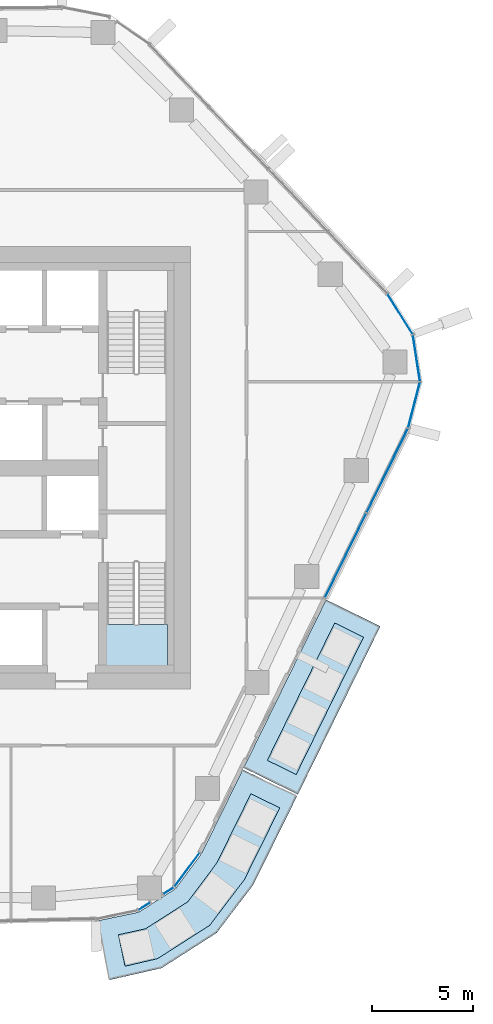
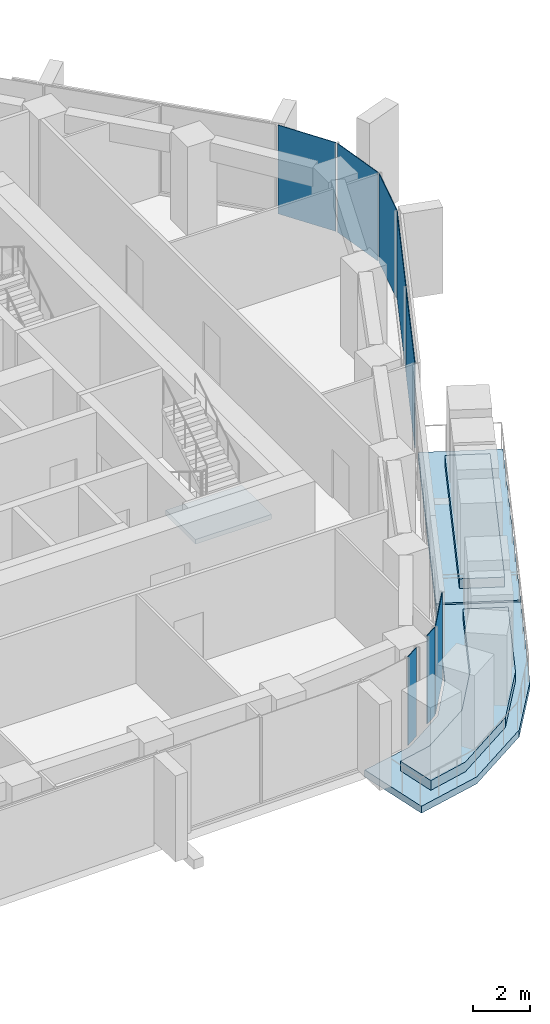
# One storey, part 9 of 17: 8 plates, 5 slabs, 5 elements without a shape of their own.
"""IFC4 building model written with IfcOpenShell, lengths in metres."""

import ifcopenshell
import ifcopenshell.guid

model = None  # the IFC model being written
_history = None  # IfcOwnerHistory: only IFC2X3 demands one
_inside = {}  # id of a spatial element -> (the spatial element, [elements in it])
_under = {}  # id of a project, library or spatial element -> (it, [spatial elements below it])
_declared = {}  # id of a project -> (the project, [libraries it declares])
_typed = {}  # id of a type object -> (the type object, [elements of that type])
_made_of = {}  # id of a material, layer set ... -> (it, [elements and type objects made of it])


def new_model(schema):
    """Start an empty IFC model of exactly this schema.

    Asked for "IFC4X3", IfcOpenShell would pick the latest addendum, in which some entities
    have other attributes; the version numbers below select the first issue.
    IFC2X3 requires an IfcOwnerHistory on every rooted entity: one is made here for all.
    """
    global model, _history
    if schema == "IFC4X3":
        model = ifcopenshell.file(schema_version=(4, 3, 0, 0))
    else:
        model = ifcopenshell.file(schema=schema)
    _inside.clear()
    _under.clear()
    _declared.clear()
    _typed.clear()
    _made_of.clear()
    _history = None
    if model.schema == "IFC2X3":
        org = make("IfcOrganization", Name="unknown")
        user = make(
            "IfcPersonAndOrganization",
            ThePerson=make("IfcPerson", FamilyName="unknown"),
            TheOrganization=org,
        )
        app = make(
            "IfcApplication",
            ApplicationDeveloper=org,
            Version="unknown",
            ApplicationFullName="unknown",
            ApplicationIdentifier="unknown",
        )
        _history = make(
            "IfcOwnerHistory",
            OwningUser=user,
            OwningApplication=app,
            ChangeAction="ADDED",
            CreationDate=0,
        )
    return model


def make(cls, **values):
    """One entity of the class cls with the attributes given. An attribute that is None is left unset."""
    return model.create_entity(
        cls, **{name: value for name, value in values.items() if value is not None}
    )


def rooted(cls, **values):
    """An entity with a GlobalId (a new one), such as an element, a storey or a relation."""
    return make(cls, GlobalId=ifcopenshell.guid.new(), OwnerHistory=_history, **values)


def si_unit(unit_type, name, prefix=None):
    """IfcSIUnit, for example si_unit("LENGTHUNIT", "METRE", prefix="MILLI")."""
    return make("IfcSIUnit", UnitType=unit_type, Prefix=prefix, Name=name)


def assignment(units):
    """IfcUnitAssignment: the units of a project."""
    return None if units is None else make("IfcUnitAssignment", Units=units)


def point(xyz):
    """IfcCartesianPoint."""
    return None if xyz is None else make("IfcCartesianPoint", Coordinates=xyz)


def direction(xyz):
    """IfcDirection."""
    return None if xyz is None else make("IfcDirection", DirectionRatios=xyz)


def frame(location, z_axis=None, x_axis=None):
    """IfcAxis2Placement3D, a coordinate frame: its origin and axes. An axis left out is left unset."""
    return make(
        "IfcAxis2Placement3D",
        Location=point(location),
        Axis=direction(z_axis),
        RefDirection=direction(x_axis),
    )


def frame_2d(location, x_axis=None):
    """IfcAxis2Placement2D, a coordinate frame in the plane: its origin and x axis."""
    return make(
        "IfcAxis2Placement2D", Location=point(location), RefDirection=direction(x_axis)
    )


def origin():
    """The frame at (0, 0, 0) with its axes left unset."""
    return frame((0.0, 0.0, 0.0))


def origin_2d():
    """The frame at (0, 0) in the plane with its x axis left unset."""
    return frame_2d((0.0, 0.0))


def place(relative_to, where):
    """IfcLocalPlacement: puts the frame where relative to a parent placement (None: the world)."""
    return make(
        "IfcLocalPlacement", PlacementRelTo=relative_to, RelativePlacement=where
    )


def context(
    kind, dimensions, precision=None, world=None, true_north=None, identifier=None
):
    """IfcGeometricRepresentationContext, for example the 3D "Model" context."""
    return make(
        "IfcGeometricRepresentationContext",
        ContextIdentifier=identifier,
        ContextType=kind,
        CoordinateSpaceDimension=dimensions,
        Precision=precision,
        WorldCoordinateSystem=world,
        TrueNorth=true_north,
    )


def subcontext(parent, identifier, kind, view, scale=None):
    """IfcGeometricRepresentationSubContext, for example "Body" below "Model"."""
    return make(
        "IfcGeometricRepresentationSubContext",
        ContextIdentifier=identifier,
        ContextType=kind,
        ParentContext=parent,
        TargetScale=scale,
        TargetView=view,
    )


def project(units=None, contexts=None):
    """IfcProject with its units and contexts."""
    return rooted(
        "IfcProject",
        Name="project",
        RepresentationContexts=contexts,
        UnitsInContext=assignment(units),
    )


def spatial(cls, under=None, at=None, **own):
    """A site, building, storey or space (cls), placed at a placement, below another one or the project."""
    s = rooted(cls, ObjectPlacement=at, **own)
    if under is not None:
        _under.setdefault(under.id(), (under, []))[1].append(s)
    return s


def polyline(points):
    """IfcPolyline through the points."""
    return make("IfcPolyline", Points=[point(p) for p in points])


def profile(cls, at=None, kind="AREA", **sizes):
    """A parametric profile (cls). Its sizes go by their IFC names, for example OverallWidth=200.0."""
    return make(cls, ProfileType=kind, Position=at, **sizes)


def rectangle(**sizes):
    """IfcRectangleProfileDef."""
    return profile("IfcRectangleProfileDef", **sizes)


def outline(outer, holes=None, kind="AREA"):
    """IfcArbitraryClosedProfileDef: a profile drawn as a closed curve; with holes, ...WithVoids."""
    if holes is None:
        return make("IfcArbitraryClosedProfileDef", ProfileType=kind, OuterCurve=outer)
    return make(
        "IfcArbitraryProfileDefWithVoids",
        ProfileType=kind,
        OuterCurve=outer,
        InnerCurves=holes,
    )


def extrude(swept, where, along, depth):
    """IfcExtrudedAreaSolid: the profile swept, set in the frame where, extruded along a direction by depth."""
    return make(
        "IfcExtrudedAreaSolid",
        SweptArea=swept,
        Position=where,
        ExtrudedDirection=direction(along),
        Depth=depth,
    )


def shape(context_of_items, identifier, shape_type, items):
    """IfcShapeRepresentation: the items that make up one representation, for example the "Body"."""
    return make(
        "IfcShapeRepresentation",
        ContextOfItems=context_of_items,
        RepresentationIdentifier=identifier,
        RepresentationType=shape_type,
        Items=items,
    )


def material(Name=None, Category=None):
    """IfcMaterial."""
    return make("IfcMaterial", Name=Name, Category=Category)


def layer(
    of_material, thickness, ventilated=None, Name=None, Category=None, Priority=None
):
    """IfcMaterialLayer: one layer of a wall or slab, of a material (None: an air gap)."""
    return make(
        "IfcMaterialLayer",
        Material=of_material,
        LayerThickness=thickness,
        IsVentilated=ventilated,
        Name=Name,
        Category=Category,
        Priority=Priority,
    )


def layer_set(layers, Name=None):
    """IfcMaterialLayerSet."""
    return make("IfcMaterialLayerSet", MaterialLayers=layers, LayerSetName=Name)


def made_of(thing, what):
    """Note that an element or type object is made of a material, layer set ...; save() writes the relation."""
    if what is not None:
        _made_of.setdefault(what.id(), (what, []))[1].append(thing)
    return thing


def type_object(cls, material=None, **own):
    """A type object (cls), such as IfcWallType, which elements share."""
    return made_of(rooted(cls, **own), material)


def element(
    cls,
    number,
    at=None,
    inside=None,
    cuts=None,
    type_object=None,
    material=None,
    context=None,
    identifier="Body",
    shape_type=None,
    held_by="IfcProductDefinitionShape",
    body=None,
    shapes=None,
    **own,
):
    """One element of the class cls, such as IfcWall. Its Tag is "e" and its number.

    at: its placement. inside: the storey or other place that contains it. cuts: it is an
    opening in that element (IfcRelVoidsElement). A single representation is given by context,
    identifier, shape_type and body (its items); several are given by shapes. held_by: the class
    of the entity that holds the representations. save() writes the other relations.
    """
    e = rooted(cls, Tag="e%d" % number, ObjectPlacement=at, **own)
    if body is not None:
        shapes = [shape(context, identifier, shape_type, body)]
    if shapes is not None:
        e.Representation = make(held_by, Representations=shapes)
    if inside is not None:
        _inside.setdefault(inside.id(), (inside, []))[1].append(e)
    if cuts is not None:
        rooted(
            "IfcRelVoidsElement", RelatingBuildingElement=cuts, RelatedOpeningElement=e
        )
    if type_object is not None:
        _typed.setdefault(type_object.id(), (type_object, []))[1].append(e)
    return made_of(e, material)


def aggregate(whole, parts):
    """IfcRelAggregates: a whole, such as a stair, and the parts it consists of."""
    return rooted("IfcRelAggregates", RelatingObject=whole, RelatedObjects=parts)


def save(model, path):
    """Write the relations noted so far, then the file.

    IfcRelAggregates (storeys below a building ...), IfcRelContainedInSpatialStructure (elements
    in a storey), IfcRelDefinesByType, IfcRelAssociatesMaterial and IfcRelDeclares: one each for
    every whole, place, type object, material and project.
    """
    for whole, parts in _under.values():
        aggregate(whole, parts)
    for where, things in _inside.values():
        rooted(
            "IfcRelContainedInSpatialStructure",
            RelatedElements=things,
            RelatingStructure=where,
        )
    for kind, things in _typed.values():
        rooted("IfcRelDefinesByType", RelatedObjects=things, RelatingType=kind)
    for what, things in _made_of.values():
        rooted("IfcRelAssociatesMaterial", RelatedObjects=things, RelatingMaterial=what)
    for by, libraries in _declared.values():
        rooted("IfcRelDeclares", RelatingContext=by, RelatedDefinitions=libraries)
    model.write(path)


model = new_model("IFC4")

# Units and contexts
model_context = context("Model", 3, precision=1e-05, world=origin(), true_north=direction((0.0, 1.0)))
body_context = subcontext(model_context, "Body", "Model", "MODEL_VIEW")
ifc_project = project(units=[si_unit("LENGTHUNIT", "METRE"), si_unit("AREAUNIT", "SQUARE_METRE"), si_unit("VOLUMEUNIT", "CUBIC_METRE"), si_unit("PLANEANGLEUNIT", "RADIAN"), si_unit("MASSUNIT", "GRAM", prefix="KILO")], contexts=[model_context])

# Site, building, storey
site_placement = place(None, origin())
site = spatial("IfcSite", under=ifc_project, at=site_placement, CompositionType="ELEMENT")
building_placement = place(site_placement, origin())
building = spatial("IfcBuilding", under=site, at=building_placement, Name="Dongbaek Canopy Tower", CompositionType="ELEMENT")
storey_placement = place(building_placement, frame((0.0, 0.0, 211.39990234375)))
storey = spatial("IfcBuildingStorey", under=building, at=storey_placement, Name="L44", CompositionType="ELEMENT", Elevation=211.39990234375)

# Slabs
ifc_material_1 = material(Name="Concrete C40/50", Category="concrete")
ifc_layer_1 = layer(ifc_material_1, 0.300048828125)
ifc_layer_set_1 = layer_set([ifc_layer_1], Name="Balcony slab 300")
slab_type_1 = type_object("IfcSlabType", Name="Balcony slab 300", PredefinedType="FLOOR", material=ifc_layer_set_1)
slab_1_placement = place(storey_placement, frame((0.0, 0.0, -0.2998046875)))
element("IfcSlab", 1, at=slab_1_placement, inside=storey, type_object=slab_type_1, Name="Balcony L44 2", PredefinedType="FLOOR", context=body_context, shape_type="SweptSolid", body=[
    extrude(outline(polyline([(16.6552734375, -14.90869140625), (20.755126953125, -6.5556640625), (23.4482421875, -7.87744140625), (19.348388671875, -16.230712890625), (16.6552734375, -14.90869140625)])), origin(), (0.0, 0.0, 1.0), 0.2998046875),
])
slab_2_placement = place(storey_placement, frame((0.0, 0.0, -0.2998046875)))
element("IfcSlab", 2, at=slab_2_placement, inside=storey, type_object=slab_type_1, Name="Balcony L44 4", PredefinedType="FLOOR", context=body_context, shape_type="SweptSolid", body=[
    extrude(outline(polyline([(9.3671875, -22.519775390625), (11.44189453125, -22.0869140625), (13.269287109375, -20.917724609375), (14.561279296875, -19.175048828125), (16.611328125, -14.99853515625), (19.304443359375, -16.3203125), (17.12353515625, -20.73583984375), (15.31640625, -23.11083984375), (12.5751953125, -24.864501953125), (9.979736328125, -25.45654296875), (9.3671875, -22.519775390625)])), origin(), (0.0, 0.0, 1.0), 0.2998046875),
])

# Curtain wall, plates
ifc_material_2 = material(Name="Aluminium 6063-T6 pale anodised", Category="aluminium")
ifc_layer_2 = layer(ifc_material_2, 0.199951171875)
ifc_layer_set_2 = layer_set([ifc_layer_2], Name="CW-1 unitised tower curtain wall")
curtain_wall_type = type_object("IfcCurtainWallType", Name="CW-1 unitised tower curtain wall", PredefinedType="NOTDEFINED", material=ifc_layer_set_2)
curtain_wall_1_placement = place(storey_placement, origin())
curtain_wall_1 = element("IfcCurtainWall", 3, at=curtain_wall_1_placement, inside=storey, type_object=curtain_wall_type, Name="CW-1 curtain wall K0.1", PredefinedType="NOTDEFINED")
ifc_material_3 = material(Name="Clear laminated glass", Category="glass")
ifc_layer_3 = layer(ifc_material_3, 0.028076171875)
ifc_layer_set_3 = layer_set([ifc_layer_3], Name="CW-1 glazed panel 28")
plate_type = type_object("IfcPlateType", Name="CW-1 glazed panel 28", PredefinedType="CURTAIN_PANEL", material=ifc_layer_set_3)
plate_1_placement = place(storey_placement, frame((25.125732421875, 3.123291015625, 0.0), z_axis=(0.0, 0.0, 1.0), x_axis=(0.25054729456, 0.968104360691, 0.0)))
plate_1 = element("IfcPlate", 4, at=plate_1_placement, type_object=plate_type, Name="CW-1 panel K0.1.1.1", PredefinedType="CURTAIN_PANEL", context=body_context, shape_type="SweptSolid", body=[
    extrude(rectangle(XDim=2.3046875, YDim=0.028076171875, at=origin_2d()), origin(), (0.0, 0.0, 1.0), 3.820068359375),
])
plate_2_placement = place(storey_placement, frame((25.244140625, 5.454833984375, 0.0), z_axis=(0.0, 0.0, 1.0), x_axis=(-0.152192912266, 0.988350806878, 0.0)))
plate_2 = element("IfcPlate", 5, at=plate_2_placement, type_object=plate_type, Name="CW-1 panel K0.1.2.1", PredefinedType="CURTAIN_PANEL", context=body_context, shape_type="SweptSolid", body=[
    extrude(rectangle(XDim=2.29443359375, YDim=0.028076171875, at=origin_2d()), origin(), (0.0, 0.0, 1.0), 3.820068359375),
])
plate_3_placement = place(storey_placement, frame((24.429931640625, 7.642822265625, 0.0), z_axis=(0.0, 0.0, 1.0), x_axis=(-0.530185091619, 0.847881930828, 0.0)))
plate_3 = element("IfcPlate", 6, at=plate_3_placement, type_object=plate_type, Name="CW-1 panel K0.1.3.1", PredefinedType="CURTAIN_PANEL", context=body_context, shape_type="SweptSolid", body=[
    extrude(rectangle(XDim=2.3046875, YDim=0.028076171875, at=origin_2d()), origin(), (0.0, 0.0, 1.0), 3.820068359375),
])
aggregate(curtain_wall_1, [plate_1, plate_2, plate_3])

# Curtain wall, plate
curtain_wall_2_placement = place(storey_placement, origin())
curtain_wall_2 = element("IfcCurtainWall", 7, at=curtain_wall_2_placement, inside=storey, type_object=curtain_wall_type, Name="CW-1 curtain wall K5.1a", PredefinedType="NOTDEFINED")
plate_4_placement = place(storey_placement, frame((11.71484375, -21.793701171875, 0.0), z_axis=(0.0, 0.0, 1.0), x_axis=(0.84233625756, 0.53895234409, 0.0)))
plate_4 = element("IfcPlate", 8, at=plate_4_placement, type_object=plate_type, Name="CW-1 panel K5.1a.2.1", PredefinedType="CURTAIN_PANEL", context=body_context, shape_type="SweptSolid", body=[
    extrude(rectangle(XDim=0.655029296875, YDim=0.028076171875, at=origin_2d()), origin(), (0.0, 0.0, 1.0), 3.820068359375),
])
aggregate(curtain_wall_2, [plate_4])

# Curtain wall, plates
curtain_wall_3_placement = place(storey_placement, origin())
curtain_wall_3 = element("IfcCurtainWall", 9, at=curtain_wall_3_placement, inside=storey, type_object=curtain_wall_type, Name="CW-1 curtain wall K5.1b", PredefinedType="NOTDEFINED")
plate_5_placement = place(storey_placement, frame((12.9208984375, -21.021728515625, 0.0), z_axis=(0.0, 0.0, 1.0), x_axis=(0.84233625756, 0.53895234409, 0.0)))
plate_5 = element("IfcPlate", 10, at=plate_5_placement, type_object=plate_type, Name="CW-1 panel K5.1b.1.1", PredefinedType="CURTAIN_PANEL", context=body_context, shape_type="SweptSolid", body=[
    extrude(rectangle(XDim=0.578125, YDim=0.028076171875, at=origin_2d()), origin(), (0.0, 0.0, 1.0), 3.820068359375),
])
plate_6_placement = place(storey_placement, frame((13.837646484375, -19.983154296875, 0.0), z_axis=(0.0, 0.0, 1.0), x_axis=(0.595623991556, 0.803263381889, 0.0)))
plate_6 = element("IfcPlate", 11, at=plate_6_placement, type_object=plate_type, Name="CW-1 panel K5.1b.2.1", PredefinedType="CURTAIN_PANEL", context=body_context, shape_type="SweptSolid", body=[
    extrude(rectangle(XDim=2.057861328125, YDim=0.028076171875, at=origin_2d()), origin(), (0.0, 0.0, 1.0), 3.820068359375),
])
aggregate(curtain_wall_3, [plate_5, plate_6])

curtain_wall_4_placement = place(storey_placement, origin())
curtain_wall_4 = element("IfcCurtainWall", 12, at=curtain_wall_4_placement, inside=storey, type_object=curtain_wall_type, Name="CW-1 curtain wall F5.1", PredefinedType="NOTDEFINED")
plate_7_placement = place(storey_placement, frame((21.72314453125, -4.35595703125, 0.1201171875), z_axis=(0.0, 0.0, 1.0), x_axis=(0.440595243167, 0.897705871485, 0.0)))
plate_7 = element("IfcPlate", 13, at=plate_7_placement, type_object=plate_type, Name="CW-1 panel F5.1.1.1", PredefinedType="CURTAIN_PANEL", context=body_context, shape_type="SweptSolid", body=[
    extrude(rectangle(XDim=4.618408203125, YDim=0.028076171875, at=origin_2d()), origin(), (0.0, 0.0, 1.0), 3.699951171875),
])
plate_8_placement = place(storey_placement, frame((23.79296875, -0.13916015625, 0.1201171875), z_axis=(0.0, 0.0, 1.0), x_axis=(0.440595243167, 0.897705871485, 0.0)))
plate_8 = element("IfcPlate", 14, at=plate_8_placement, type_object=plate_type, Name="CW-1 panel F5.1.2.1", PredefinedType="CURTAIN_PANEL", context=body_context, shape_type="SweptSolid", body=[
    extrude(rectangle(XDim=4.6083984375, YDim=0.028076171875, at=origin_2d()), origin(), (0.0, 0.0, 1.0), 3.699951171875),
])
aggregate(curtain_wall_4, [plate_7, plate_8])

# Stair, slab
ifc_material_4 = material(Name="Concrete C40/50", Category="concrete")
stair_type = type_object("IfcStairType", Name="Core exit stair", PredefinedType="HALF_TURN_STAIR", material=ifc_material_4)
stair_placement = place(storey_placement, origin())
stair = element("IfcStair", 15, at=stair_placement, inside=storey, type_object=stair_type, Name="L44 exit stair B", PredefinedType="HALF_TURN_STAIR")
ifc_material_5 = material(Name="Concrete C40/50", Category="concrete")
ifc_layer_4 = layer(ifc_material_5, 0.199951171875)
ifc_layer_set_4 = layer_set([ifc_layer_4], Name="Core stair landing 200")
slab_type_2 = type_object("IfcSlabType", Name="Core stair landing 200", PredefinedType="LANDING", material=ifc_layer_set_4)
slab_3_placement = place(storey_placement, frame((0.0, 0.0, 1.900146484375)))
slab_3 = element("IfcSlab", 16, at=slab_3_placement, type_object=slab_type_2, Name="ST-B landing 1", PredefinedType="LANDING", context=body_context, shape_type="SweptSolid", body=[
    extrude(outline(polyline([(9.77490234375, -7.780029296875), (9.77490234375, -9.875), (12.875, -9.875), (12.875, -7.780029296875), (9.77490234375, -7.780029296875)])), origin(), (0.0, 0.0, 1.0), 0.199951171875),
])
aggregate(stair, [slab_3])

# Slabs
ifc_material_6 = material(Name="Reinforced concrete C40/50 planter box with soil", Category="concrete")
ifc_layer_5 = layer(ifc_material_6, 0.419921875)
ifc_layer_set_5 = layer_set([ifc_layer_5], Name="Terrace planter box 1600 x 420")
slab_type_3 = type_object("IfcSlabType", Name="Terrace planter box 1600 x 420", PredefinedType="USERDEFINED", material=ifc_layer_set_5)
slab_4_placement = place(storey_placement, origin())
element("IfcSlab", 17, at=slab_4_placement, inside=storey, type_object=slab_type_3, Name="Balcony planter L44 2", ObjectType="PLANTER", PredefinedType="USERDEFINED", context=body_context, shape_type="SweptSolid", body=[
    extrude(outline(polyline([(17.828857421875, -14.537841796875), (21.179443359375, -7.7109375), (22.61572265625, -8.415771484375), (19.26513671875, -15.242919921875), (17.828857421875, -14.537841796875)])), origin(), (0.0, 0.0, 1.0), 0.420166015625),
])
slab_5_placement = place(storey_placement, origin())
element("IfcSlab", 18, at=slab_5_placement, inside=storey, type_object=slab_type_3, Name="Balcony planter L44 4", ObjectType="PLANTER", PredefinedType="USERDEFINED", context=body_context, shape_type="SweptSolid", body=[
    extrude(outline(polyline([(10.429931640625, -23.20703125), (11.778076171875, -22.910888671875), (13.87646484375, -21.568359375), (15.321533203125, -19.63818359375), (17.013671875, -16.19873046875), (18.449951171875, -16.903564453125), (16.68798828125, -20.470703125), (14.96826171875, -22.738037109375), (12.382568359375, -24.392333984375), (10.756591796875, -24.7734375), (10.429931640625, -23.20703125)])), origin(), (0.0, 0.0, 1.0), 0.420166015625),
])

save(model, "model.ifc")
